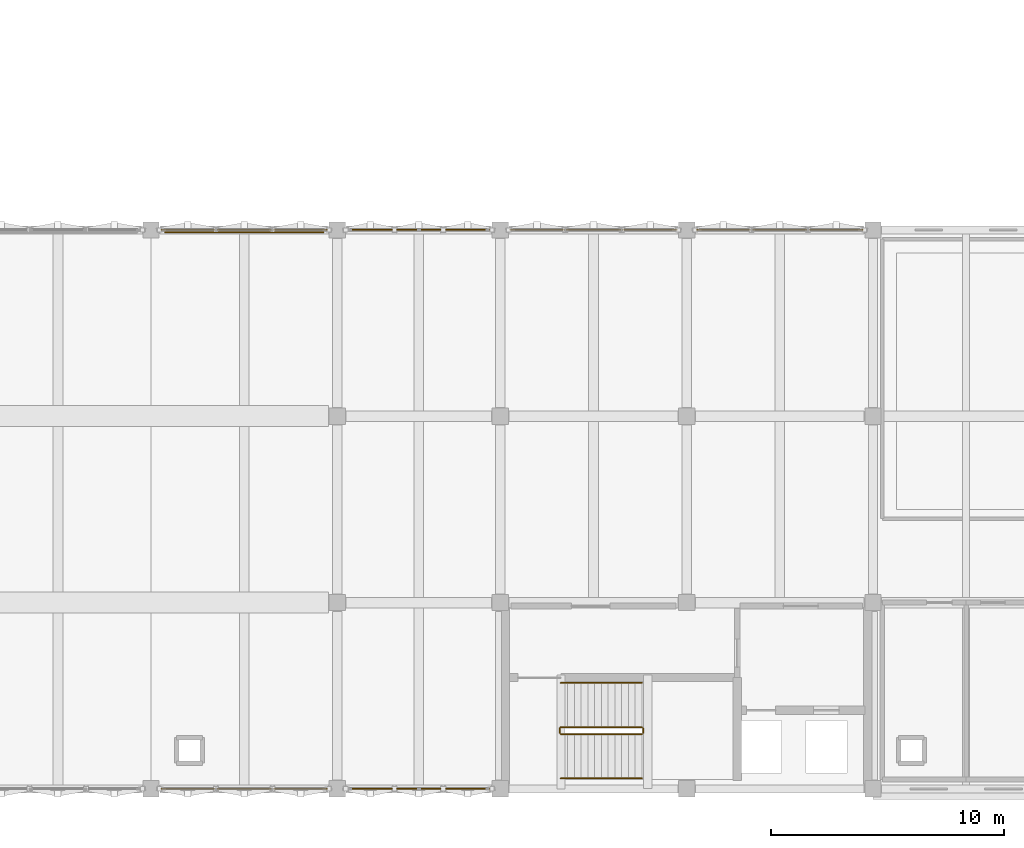
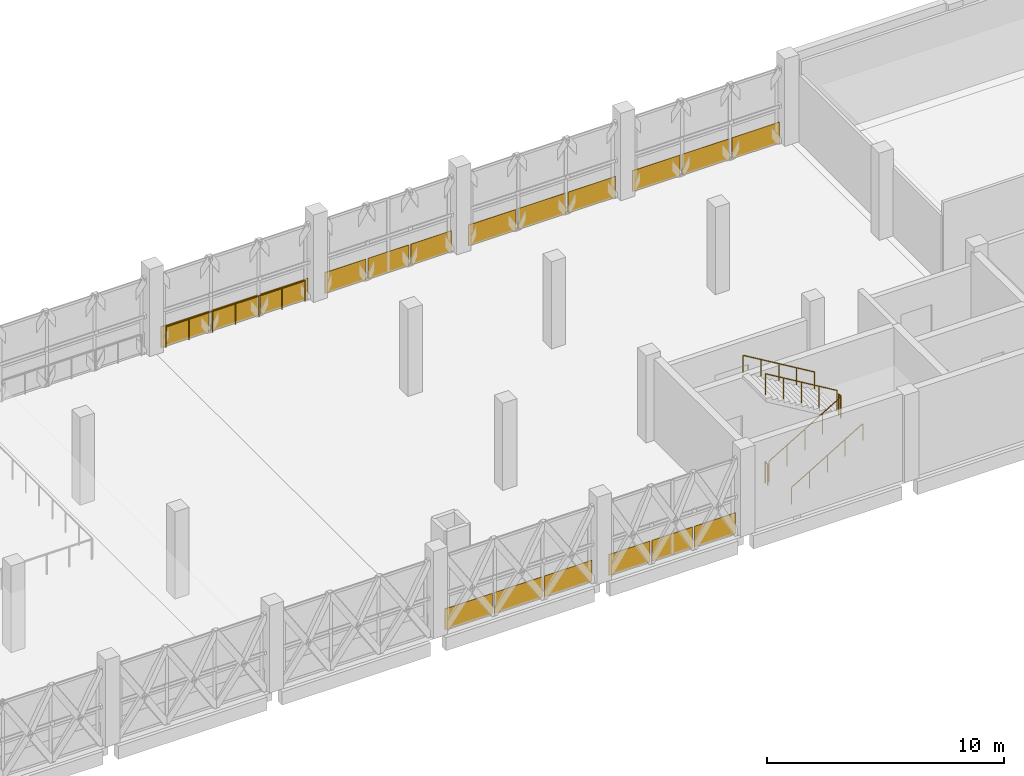
# One storey, part 41 of 45: 18 coverings, 7 railings.
"""IFC4 building model written with IfcOpenShell, lengths in metres."""

from ifc_helpers import new_model, si_unit, direction, frame, origin, origin_2d, place, context, subcontext, project, spatial, rectangle, circle, extrude, material, layer, layer_set, type_object, element, save


model = new_model("IFC4")

# Units and contexts
model_context = context("Model", 3, precision=1e-05, world=origin(), true_north=direction((0.0, 1.0)))
body_context = subcontext(model_context, "Body", "Model", "MODEL_VIEW")
ifc_project = project(units=[si_unit("LENGTHUNIT", "METRE"), si_unit("AREAUNIT", "SQUARE_METRE"), si_unit("VOLUMEUNIT", "CUBIC_METRE"), si_unit("PLANEANGLEUNIT", "RADIAN"), si_unit("MASSUNIT", "GRAM", prefix="KILO")], contexts=[model_context])

# Site, building, storey
site_placement = place(None, origin())
site = spatial("IfcSite", under=ifc_project, at=site_placement, CompositionType="ELEMENT")
building_placement = place(site_placement, origin())
building = spatial("IfcBuilding", under=site, at=building_placement, Name="Qorikala Patio Media Centre", CompositionType="ELEMENT")
storey_placement = place(building_placement, frame((0.0, 0.0, 9.89990234375)))
storey = spatial("IfcBuildingStorey", under=building, at=storey_placement, Name="L02", CompositionType="ELEMENT", Elevation=9.89990234375)

# Coverings
ifc_material_1 = material(Name="Golden Bronze Anodised Aluminium Panel", Category="aluminium")
ifc_layer = layer(ifc_material_1, 0.044921875)
ifc_layer_set = layer_set([ifc_layer], Name="Golden Bronze Anodised Aluminium Panel")
covering_type = type_object("IfcCoveringType", Name="COV-CLAD-GOLD", PredefinedType="CLADDING", material=ifc_layer_set)
for number, where, z_axis, x_axis, name in (
    (1, (80.59326171875, 3.0, 0.0), (0.0, 0.0, 1.0), (-1.0, 0.0, 0.0), "L02 Golden Diamond Fold Spandrel 040"),
    (2, (78.5, 3.0, 0.0), (0.0, 0.0, 1.0), (-1.0, 0.0, 0.0), "L02 Golden Diamond Fold Spandrel 041"),
    (3, (76.40673828125, 3.0, 0.0), (0.0, 0.0, 1.0), (-1.0, 0.0, 0.0), "L02 Golden Diamond Fold Spandrel 042"),
):
    element("IfcCovering", number, at=place(storey_placement, frame(where, z_axis=z_axis, x_axis=x_axis)), inside=storey, type_object=covering_type, Name=name, PredefinedType="CLADDING", context=body_context, shape_type="SweptSolid", body=[
        extrude(rectangle(XDim=1.993408203125, YDim=0.044921875, at=origin_2d()), origin(), (0.0, 0.0, 1.0), 1.077880859375),
    ])
for number, where, z_axis, x_axis, name in (
    (4, (73.4267578125, 3.0, 0.0), (0.0, 0.0, 1.0), (-1.0, 0.0, 0.0), "L02 Golden Diamond Fold Spandrel 043"),
    (5, (71.0, 3.0, 0.0), (0.0, 0.0, 1.0), (-1.0, 0.0, 0.0), "L02 Golden Diamond Fold Spandrel 044"),
    (6, (68.5732421875, 3.0, 0.0), (0.0, 0.0, 1.0), (-1.0, 0.0, 0.0), "L02 Golden Diamond Fold Spandrel 045"),
    (7, (68.5732421875, 27.0, 0.0), (0.0, 0.0, 1.0), (1.0, 0.0, 0.0), "L02 Golden Diamond Fold Spandrel 061"),
    (8, (71.0, 27.0, 0.0), (0.0, 0.0, 1.0), (1.0, 0.0, 0.0), "L02 Golden Diamond Fold Spandrel 062"),
    (9, (73.4267578125, 27.0, 0.0), (0.0, 0.0, 1.0), (1.0, 0.0, 0.0), "L02 Golden Diamond Fold Spandrel 063"),
):
    element("IfcCovering", number, at=place(storey_placement, frame(where, z_axis=z_axis, x_axis=x_axis)), inside=storey, type_object=covering_type, Name=name, PredefinedType="CLADDING", context=body_context, shape_type="SweptSolid", body=[
        extrude(rectangle(XDim=2.32666015625, YDim=0.044921875, at=origin_2d()), origin(), (0.0, 0.0, 1.0), 1.077880859375),
    ])
for number, where, z_axis, x_axis, name in (
    (10, (76.40673828125, 27.0, 0.0), (0.0, 0.0, 1.0), (1.0, 0.0, 0.0), "L02 Golden Diamond Fold Spandrel 064"),
    (11, (78.5, 27.0, 0.0), (0.0, 0.0, 1.0), (1.0, 0.0, 0.0), "L02 Golden Diamond Fold Spandrel 065"),
    (12, (80.59326171875, 27.0, 0.0), (0.0, 0.0, 1.0), (1.0, 0.0, 0.0), "L02 Golden Diamond Fold Spandrel 066"),
):
    element("IfcCovering", number, at=place(storey_placement, frame(where, z_axis=z_axis, x_axis=x_axis)), inside=storey, type_object=covering_type, Name=name, PredefinedType="CLADDING", context=body_context, shape_type="SweptSolid", body=[
        extrude(rectangle(XDim=1.993408203125, YDim=0.044921875, at=origin_2d()), origin(), (0.0, 0.0, 1.0), 1.077880859375),
    ])
for number, where, z_axis, x_axis, name in (
    (13, (83.5732421875, 27.0, 0.0), (0.0, 0.0, 1.0), (1.0, 0.0, 0.0), "L02 Golden Diamond Fold Spandrel 067"),
    (14, (86.0, 27.0, 0.0), (0.0, 0.0, 1.0), (1.0, 0.0, 0.0), "L02 Golden Diamond Fold Spandrel 068"),
    (15, (88.4267578125, 27.0, 0.0), (0.0, 0.0, 1.0), (1.0, 0.0, 0.0), "L02 Golden Diamond Fold Spandrel 069"),
    (16, (91.5732421875, 27.0, 0.0), (0.0, 0.0, 1.0), (1.0, 0.0, 0.0), "L02 Golden Diamond Fold Spandrel 070"),
    (17, (94.0, 27.0, 0.0), (0.0, 0.0, 1.0), (1.0, 0.0, 0.0), "L02 Golden Diamond Fold Spandrel 071"),
    (18, (96.4267578125, 27.0, 0.0), (0.0, 0.0, 1.0), (1.0, 0.0, 0.0), "L02 Golden Diamond Fold Spandrel 072"),
):
    element("IfcCovering", number, at=place(storey_placement, frame(where, z_axis=z_axis, x_axis=x_axis)), inside=storey, type_object=covering_type, Name=name, PredefinedType="CLADDING", context=body_context, shape_type="SweptSolid", body=[
        extrude(rectangle(XDim=2.32666015625, YDim=0.044921875, at=origin_2d()), origin(), (0.0, 0.0, 1.0), 1.077880859375),
    ])

# Railings
ifc_material_2 = material(Name="Spanish Colonial Wrought Bronze Balustrade")
railing_type_1 = type_object("IfcRailingType", Name="RL-BAL-110", PredefinedType="BALUSTRADE", material=ifc_material_2)
railing_1_placement = place(storey_placement, frame((67.60009765625, 26.89990234375, 0.0)))
element("IfcRailing", 19, at=railing_1_placement, inside=storey, type_object=railing_type_1, Name="L02 Colonial Patio Balustrade 06", PredefinedType="BALUSTRADE", context=body_context, shape_type="SweptSolid", body=[
    extrude(circle(Radius=0.02392578125, at=origin_2d()), frame((0.0, 0.0, 1.076171875), z_axis=(1.0, 0.0, 0.0), x_axis=(0.0, 1.0, 0.0)), (0.0, 0.0, 1.0), 6.7998046875),
    extrude(circle(Radius=0.02099609375, at=origin_2d()), origin(), (0.0, 0.0, 1.0), 1.052001953125),
    extrude(circle(Radius=0.02099609375, at=origin_2d()), frame((1.13330078125, 0.0, 0.0)), (0.0, 0.0, 1.0), 1.052001953125),
    extrude(circle(Radius=0.02099609375, at=origin_2d()), frame((2.2666015625, 0.0, 0.0)), (0.0, 0.0, 1.0), 1.052001953125),
    extrude(circle(Radius=0.02099609375, at=origin_2d()), frame((3.39990234375, 0.0, 0.0)), (0.0, 0.0, 1.0), 1.052001953125),
    extrude(circle(Radius=0.02099609375, at=origin_2d()), frame((4.533203125, 0.0, 0.0)), (0.0, 0.0, 1.0), 1.052001953125),
    extrude(circle(Radius=0.02099609375, at=origin_2d()), frame((5.66650390625, 0.0, 0.0)), (0.0, 0.0, 1.0), 1.052001953125),
    extrude(circle(Radius=0.02099609375, at=origin_2d()), frame((6.7998046875, 0.0, 0.0)), (0.0, 0.0, 1.0), 1.052001953125),
])
ifc_material_3 = material(Name="Wrought Bronze and Steel S355", Category="steel")
railing_type_2 = type_object("IfcRailingType", Name="RL-GUARD-110", PredefinedType="GUARDRAIL", material=ifc_material_3)
railing_2_placement = place(storey_placement, frame((84.60009765625, 5.35009765625, 0.173095703125)))
element("IfcRailing", 20, at=railing_2_placement, inside=storey, type_object=railing_type_2, Name="L02 ST-4 stair guard 1", PredefinedType="GUARDRAIL", context=body_context, shape_type="SweptSolid", body=[
    extrude(circle(Radius=0.02392578125, at=origin_2d()), frame((0.0, 0.0, 1.076171875), z_axis=(0.858697190188, 0.0, 0.512483302717), x_axis=(0.0, 1.0, 0.0)), (0.0, 0.0, 1.0), 4.052734375),
    extrude(circle(Radius=0.02099609375, at=origin_2d()), origin(), (0.0, 0.0, 1.0), 1.052001953125),
    extrude(circle(Radius=0.02099609375, at=origin_2d()), frame((0.8701171875, 0.0, 0.519287109375)), (0.0, 0.0, 1.0), 1.052001953125),
    extrude(circle(Radius=0.02099609375, at=origin_2d()), frame((1.739990234375, 0.0, 1.03857421875)), (0.0, 0.0, 1.0), 1.052001953125),
    extrude(circle(Radius=0.02099609375, at=origin_2d()), frame((2.60986328125, 0.0, 1.5576171875)), (0.0, 0.0, 1.0), 1.052001953125),
    extrude(circle(Radius=0.02099609375, at=origin_2d()), frame((3.47998046875, 0.0, 2.076904296875)), (0.0, 0.0, 1.0), 1.052001953125),
])
railing_3_placement = place(storey_placement, frame((88.1298828125, 5.39990234375, 2.25)))
element("IfcRailing", 21, at=railing_3_placement, inside=storey, type_object=railing_type_2, Name="L02 ST-4 stair guard 2", PredefinedType="GUARDRAIL", context=body_context, shape_type="SweptSolid", body=[
    extrude(circle(Radius=0.02392578125, at=origin_2d()), frame((0.0, 0.0, 1.076171875), z_axis=(0.0, 1.0, 0.0), x_axis=(-1.0, 0.0, 0.0)), (0.0, 0.0, 1.0), 0.2001953125),
    extrude(circle(Radius=0.02099609375, at=origin_2d()), origin(), (0.0, 0.0, 1.0), 1.052001953125),
    extrude(circle(Radius=0.02099609375, at=origin_2d()), frame((0.0, 0.2001953125, 0.0)), (0.0, 0.0, 1.0), 1.052001953125),
])
railing_4_placement = place(storey_placement, frame((88.080078125, 5.64990234375, 2.423095703125)))
element("IfcRailing", 22, at=railing_4_placement, inside=storey, type_object=railing_type_2, Name="L02 ST-4 stair guard 3", PredefinedType="GUARDRAIL", context=body_context, shape_type="SweptSolid", body=[
    extrude(circle(Radius=0.02392578125, at=origin_2d()), frame((0.0, 0.0, 1.076171875), z_axis=(-0.858697190188, 0.0, 0.512483302717), x_axis=(0.0, -1.0, 0.0)), (0.0, 0.0, 1.0), 4.052734375),
    extrude(circle(Radius=0.02099609375, at=origin_2d()), origin(), (0.0, 0.0, 1.0), 1.052001953125),
    extrude(circle(Radius=0.02099609375, at=origin_2d()), frame((-0.8701171875, 0.0, 0.519287109375)), (0.0, 0.0, 1.0), 1.052001953125),
    extrude(circle(Radius=0.02099609375, at=origin_2d()), frame((-1.739990234375, 0.0, 1.03857421875)), (0.0, 0.0, 1.0), 1.052001953125),
    extrude(circle(Radius=0.02099609375, at=origin_2d()), frame((-2.60986328125, 0.0, 1.5576171875)), (0.0, 0.0, 1.0), 1.052001953125),
    extrude(circle(Radius=0.02099609375, at=origin_2d()), frame((-3.47998046875, 0.0, 2.076904296875)), (0.0, 0.0, 1.0), 1.052001953125),
])
railing_5_placement = place(storey_placement, frame((84.550048828125, 5.39990234375, 0.0)))
element("IfcRailing", 23, at=railing_5_placement, inside=storey, type_object=railing_type_2, Name="L02 ST-4 stair guard 4", PredefinedType="GUARDRAIL", context=body_context, shape_type="SweptSolid", body=[
    extrude(circle(Radius=0.02392578125, at=origin_2d()), frame((0.0, 0.0, 1.076171875), z_axis=(0.0, 1.0, 0.0), x_axis=(-1.0, 0.0, 0.0)), (0.0, 0.0, 1.0), 0.2001953125),
    extrude(circle(Radius=0.02099609375, at=origin_2d()), origin(), (0.0, 0.0, 1.0), 1.052001953125),
    extrude(circle(Radius=0.02099609375, at=origin_2d()), frame((0.0, 0.2001953125, 0.0)), (0.0, 0.0, 1.0), 1.052001953125),
])
ifc_material_4 = material(Name="Brushed Bronze Tubular Steel S355", Category="steel")
railing_type_3 = type_object("IfcRailingType", Name="RL-HAND-090", PredefinedType="HANDRAIL", material=ifc_material_4)
railing_6_placement = place(storey_placement, frame((84.60009765625, 3.449951171875, 0.173095703125)))
element("IfcRailing", 24, at=railing_6_placement, inside=storey, type_object=railing_type_3, Name="L02 ST-4 stair handrail 1", PredefinedType="HANDRAIL", context=body_context, shape_type="SweptSolid", body=[
    extrude(circle(Radius=0.02392578125, at=origin_2d()), frame((0.0, 0.0, 0.8759765625), z_axis=(0.858697190188, 0.0, 0.512483302717), x_axis=(0.0, 1.0, 0.0)), (0.0, 0.0, 1.0), 4.052734375),
    extrude(circle(Radius=0.02099609375, at=origin_2d()), origin(), (0.0, 0.0, 1.0), 0.851806640625),
    extrude(circle(Radius=0.02099609375, at=origin_2d()), frame((0.8701171875, 0.0, 0.519287109375)), (0.0, 0.0, 1.0), 0.851806640625),
    extrude(circle(Radius=0.02099609375, at=origin_2d()), frame((1.739990234375, 0.0, 1.03857421875)), (0.0, 0.0, 1.0), 0.851806640625),
    extrude(circle(Radius=0.02099609375, at=origin_2d()), frame((2.60986328125, 0.0, 1.5576171875)), (0.0, 0.0, 1.0), 0.851806640625),
    extrude(circle(Radius=0.02099609375, at=origin_2d()), frame((3.47998046875, 0.0, 2.076904296875)), (0.0, 0.0, 1.0), 0.851806640625),
])
railing_7_placement = place(storey_placement, frame((88.080078125, 7.550048828125, 2.423095703125)))
element("IfcRailing", 25, at=railing_7_placement, inside=storey, type_object=railing_type_3, Name="L02 ST-4 stair handrail 2", PredefinedType="HANDRAIL", context=body_context, shape_type="SweptSolid", body=[
    extrude(circle(Radius=0.02392578125, at=origin_2d()), frame((0.0, 0.0, 0.8759765625), z_axis=(-0.858697190188, 0.0, 0.512483302717), x_axis=(0.0, -1.0, 0.0)), (0.0, 0.0, 1.0), 4.052734375),
    extrude(circle(Radius=0.02099609375, at=origin_2d()), origin(), (0.0, 0.0, 1.0), 0.851806640625),
    extrude(circle(Radius=0.02099609375, at=origin_2d()), frame((-0.8701171875, 0.0, 0.519287109375)), (0.0, 0.0, 1.0), 0.851806640625),
    extrude(circle(Radius=0.02099609375, at=origin_2d()), frame((-1.739990234375, 0.0, 1.03857421875)), (0.0, 0.0, 1.0), 0.851806640625),
    extrude(circle(Radius=0.02099609375, at=origin_2d()), frame((-2.60986328125, 0.0, 1.5576171875)), (0.0, 0.0, 1.0), 0.851806640625),
    extrude(circle(Radius=0.02099609375, at=origin_2d()), frame((-3.47998046875, 0.0, 2.076904296875)), (0.0, 0.0, 1.0), 0.851806640625),
])

save(model, "model.ifc")
